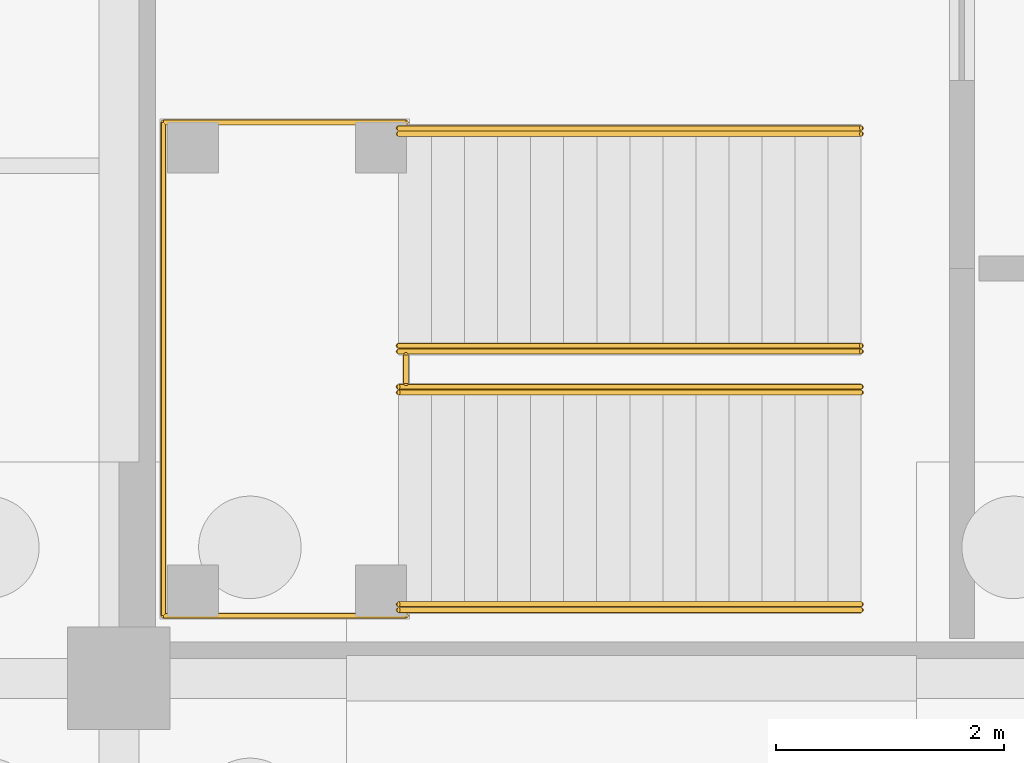
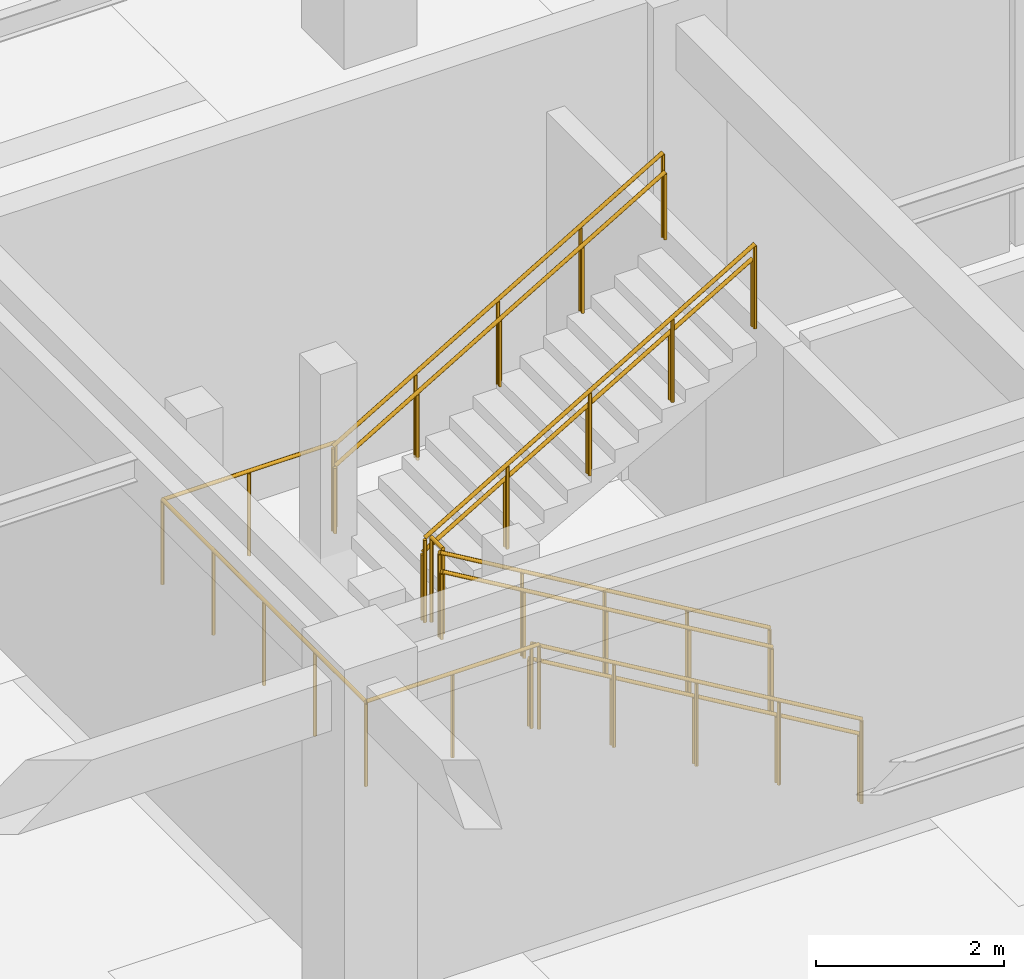
# One storey, part 29 of 33: 10 railings.
"""IFC4 building model written with IfcOpenShell, lengths in metres."""

from ifc_helpers import new_model, si_unit, direction, frame, origin, origin_2d, place, context, subcontext, project, spatial, circle, extrude, material, type_object, element, save


model = new_model("IFC4")

# Units and contexts
model_context = context("Model", 3, precision=1e-05, world=origin(), true_north=direction((0.0, 1.0)))
body_context = subcontext(model_context, "Body", "Model", "MODEL_VIEW")
ifc_project = project(units=[si_unit("LENGTHUNIT", "METRE"), si_unit("AREAUNIT", "SQUARE_METRE"), si_unit("VOLUMEUNIT", "CUBIC_METRE"), si_unit("PLANEANGLEUNIT", "RADIAN"), si_unit("MASSUNIT", "GRAM", prefix="KILO")], contexts=[model_context])

# Site, building, storey
site_placement = place(None, origin())
site = spatial("IfcSite", under=ifc_project, at=site_placement, CompositionType="ELEMENT")
building_placement = place(site_placement, origin())
building = spatial("IfcBuilding", under=site, at=building_placement, Name="Suirenkawa Promenade Aquatics Centre", CompositionType="ELEMENT")
storey_placement = place(building_placement, frame((0.0, 0.0, -4.800048828125)))
storey = spatial("IfcBuildingStorey", under=building, at=storey_placement, Name="B1", CompositionType="ELEMENT", Elevation=-4.800048828125)

# Railings
ifc_material = material(Name="Marine-grade stainless steel Grade 316L", Category="steel")
railing_type_1 = type_object("IfcRailingType", Name="RLT-GUARD-1120", PredefinedType="GUARDRAIL", material=ifc_material)
for number, where, name in (
    (1, (15.514892578125, 15.760009765625, 0.0), "Guardrail GRD-01 RL-0001"),
    (2, (15.514892578125, 13.800048828125, 0.0), "Guardrail GRD-01 RL-0003"),
):
    element("IfcRailing", number, at=place(storey_placement, frame(where)), inside=storey, type_object=railing_type_1, Name=name, PredefinedType="GUARDRAIL", context=body_context, shape_type="SweptSolid", body=[
        extrude(circle(Radius=0.02392578125, at=origin_2d()), frame((0.0, 0.0, 1.09619140625), z_axis=(-0.860818299379, 0.0, 0.50891242415), x_axis=(0.0, -1.0, 0.0)), (0.0, 0.0, 1.0), 4.71630859375),
        extrude(circle(Radius=0.02099609375, at=origin_2d()), origin(), (0.0, 0.0, 1.0), 1.072021484375),
        extrude(circle(Radius=0.02099609375, at=origin_2d()), frame((-1.014892578125, 0.0, 0.60009765625)), (0.0, 0.0, 1.0), 1.072021484375),
        extrude(circle(Radius=0.02099609375, at=origin_2d()), frame((-2.02978515625, 0.0, 1.2001953125)), (0.0, 0.0, 1.0), 1.072021484375),
        extrude(circle(Radius=0.02099609375, at=origin_2d()), frame((-3.044921875, 0.0, 1.800048828125)), (0.0, 0.0, 1.0), 1.072021484375),
        extrude(circle(Radius=0.02099609375, at=origin_2d()), frame((-4.059814453125, 0.0, 2.400146484375)), (0.0, 0.0, 1.0), 1.072021484375),
    ])
for number, where, name in (
    (3, (11.455078125, 16.070068359375, 2.400146484375), "Guardrail GRD-01 RL-0005"),
    (4, (11.455078125, 18.030029296875, 2.400146484375), "Guardrail GRD-01 RL-0007"),
):
    element("IfcRailing", number, at=place(storey_placement, frame(where)), inside=storey, type_object=railing_type_1, Name=name, PredefinedType="GUARDRAIL", context=body_context, shape_type="SweptSolid", body=[
        extrude(circle(Radius=0.02392578125, at=origin_2d()), frame((0.0, 0.0, 1.09619140625), z_axis=(0.860840976868, 0.0, 0.508874063541), x_axis=(0.0, 1.0, 0.0)), (0.0, 0.0, 1.0), 4.716064453125),
        extrude(circle(Radius=0.02099609375, at=origin_2d()), origin(), (0.0, 0.0, 1.0), 1.072021484375),
        extrude(circle(Radius=0.02099609375, at=origin_2d()), frame((1.014892578125, 0.0, 0.60009765625)), (0.0, 0.0, 1.0), 1.072021484375),
        extrude(circle(Radius=0.02099609375, at=origin_2d()), frame((2.02978515625, 0.0, 1.199951171875)), (0.0, 0.0, 1.0), 1.072021484375),
        extrude(circle(Radius=0.02099609375, at=origin_2d()), frame((3.044921875, 0.0, 1.7998046875)), (0.0, 0.0, 1.0), 1.072021484375),
        extrude(circle(Radius=0.02099609375, at=origin_2d()), frame((4.059814453125, 0.0, 2.39990234375)), (0.0, 0.0, 1.0), 1.072021484375),
    ])
railing_1_placement = place(storey_placement, frame((11.52001953125, 13.75, 2.400146484375)))
element("IfcRailing", 5, at=railing_1_placement, inside=storey, type_object=railing_type_1, Name="Guardrail GRD-01 RL-0009", PredefinedType="GUARDRAIL", context=body_context, shape_type="SweptSolid", body=[
    extrude(circle(Radius=0.02392578125, at=origin_2d()), frame((0.0, 0.0, 1.09619140625), z_axis=(-1.0, 0.0, 0.0), x_axis=(0.0, -1.0, 0.0)), (0.0, 0.0, 1.0), 2.130126953125),
    extrude(circle(Radius=0.02392578125, at=origin_2d()), frame((-2.130126953125, 0.0, 1.09619140625), z_axis=(0.0, 1.0, 0.0), x_axis=(-1.0, 0.0, 0.0)), (0.0, 0.0, 1.0), 4.330078125),
    extrude(circle(Radius=0.02392578125, at=origin_2d()), frame((-2.130126953125, 4.330078125, 1.09619140625), z_axis=(1.0, 0.0, 0.0), x_axis=(0.0, 1.0, 0.0)), (0.0, 0.0, 1.0), 2.130126953125),
    extrude(circle(Radius=0.02099609375, at=origin_2d()), origin(), (0.0, 0.0, 1.0), 1.072021484375),
    extrude(circle(Radius=0.02099609375, at=origin_2d()), frame((-1.06494140625, 0.0, 0.0)), (0.0, 0.0, 1.0), 1.072021484375),
    extrude(circle(Radius=0.02099609375, at=origin_2d()), frame((-2.130126953125, 0.0, 0.0)), (0.0, 0.0, 1.0), 1.072021484375),
    extrude(circle(Radius=0.02099609375, at=origin_2d()), frame((-2.130126953125, 1.08251953125, 0.0)), (0.0, 0.0, 1.0), 1.072021484375),
    extrude(circle(Radius=0.02099609375, at=origin_2d()), frame((-2.130126953125, 2.1650390625, 0.0)), (0.0, 0.0, 1.0), 1.072021484375),
    extrude(circle(Radius=0.02099609375, at=origin_2d()), frame((-2.130126953125, 3.24755859375, 0.0)), (0.0, 0.0, 1.0), 1.072021484375),
    extrude(circle(Radius=0.02099609375, at=origin_2d()), frame((-2.130126953125, 4.330078125, 0.0)), (0.0, 0.0, 1.0), 1.072021484375),
    extrude(circle(Radius=0.02099609375, at=origin_2d()), frame((-1.06494140625, 4.330078125, 0.0)), (0.0, 0.0, 1.0), 1.072021484375),
    extrude(circle(Radius=0.02099609375, at=origin_2d()), frame((0.0, 4.330078125, 0.0)), (0.0, 0.0, 1.0), 1.072021484375),
])
railing_2_placement = place(storey_placement, frame((11.52001953125, 15.7900390625, 2.400146484375)))
element("IfcRailing", 6, at=railing_2_placement, inside=storey, type_object=railing_type_1, Name="Guardrail GRD-01 RL-0010", PredefinedType="GUARDRAIL", context=body_context, shape_type="SweptSolid", body=[
    extrude(circle(Radius=0.02392578125, at=origin_2d()), frame((0.0, 0.0, 1.09619140625), z_axis=(0.0, 1.0, 0.0), x_axis=(-1.0, 0.0, 0.0)), (0.0, 0.0, 1.0), 0.25),
    extrude(circle(Radius=0.02099609375, at=origin_2d()), origin(), (0.0, 0.0, 1.0), 1.072021484375),
    extrude(circle(Radius=0.02099609375, at=origin_2d()), frame((0.0, 0.25, 0.0)), (0.0, 0.0, 1.0), 1.072021484375),
])
railing_type_2 = type_object("IfcRailingType", Name="RLT-HANDRAIL-900", PredefinedType="HANDRAIL", material=ifc_material)
for number, where, name in (
    (7, (15.514892578125, 15.7099609375, 0.0), "Handrail HRL-01 RL-0002"),
    (8, (15.514892578125, 13.85009765625, 0.0), "Handrail HRL-01 RL-0004"),
):
    element("IfcRailing", number, at=place(storey_placement, frame(where)), inside=storey, type_object=railing_type_2, Name=name, PredefinedType="HANDRAIL", context=body_context, shape_type="SweptSolid", body=[
        extrude(circle(Radius=0.02392578125, at=origin_2d()), frame((0.0, 0.0, 0.8759765625), z_axis=(-0.860818299379, 0.0, 0.50891242415), x_axis=(0.0, -1.0, 0.0)), (0.0, 0.0, 1.0), 4.71630859375),
        extrude(circle(Radius=0.02099609375, at=origin_2d()), origin(), (0.0, 0.0, 1.0), 0.851806640625),
        extrude(circle(Radius=0.02099609375, at=origin_2d()), frame((-1.014892578125, 0.0, 0.60009765625)), (0.0, 0.0, 1.0), 0.851806640625),
        extrude(circle(Radius=0.02099609375, at=origin_2d()), frame((-2.02978515625, 0.0, 1.2001953125)), (0.0, 0.0, 1.0), 0.851806640625),
        extrude(circle(Radius=0.02099609375, at=origin_2d()), frame((-3.044921875, 0.0, 1.800048828125)), (0.0, 0.0, 1.0), 0.851806640625),
        extrude(circle(Radius=0.02099609375, at=origin_2d()), frame((-4.059814453125, 0.0, 2.400146484375)), (0.0, 0.0, 1.0), 0.851806640625),
    ])
for number, where, name in (
    (9, (11.455078125, 16.1201171875, 2.400146484375), "Handrail HRL-01 RL-0006"),
    (10, (11.455078125, 17.97998046875, 2.400146484375), "Handrail HRL-01 RL-0008"),
):
    element("IfcRailing", number, at=place(storey_placement, frame(where)), inside=storey, type_object=railing_type_2, Name=name, PredefinedType="HANDRAIL", context=body_context, shape_type="SweptSolid", body=[
        extrude(circle(Radius=0.02392578125, at=origin_2d()), frame((0.0, 0.0, 0.8759765625), z_axis=(0.860840976868, 0.0, 0.508874063541), x_axis=(0.0, 1.0, 0.0)), (0.0, 0.0, 1.0), 4.716064453125),
        extrude(circle(Radius=0.02099609375, at=origin_2d()), origin(), (0.0, 0.0, 1.0), 0.851806640625),
        extrude(circle(Radius=0.02099609375, at=origin_2d()), frame((1.014892578125, 0.0, 0.60009765625)), (0.0, 0.0, 1.0), 0.851806640625),
        extrude(circle(Radius=0.02099609375, at=origin_2d()), frame((2.02978515625, 0.0, 1.199951171875)), (0.0, 0.0, 1.0), 0.851806640625),
        extrude(circle(Radius=0.02099609375, at=origin_2d()), frame((3.044921875, 0.0, 1.7998046875)), (0.0, 0.0, 1.0), 0.851806640625),
        extrude(circle(Radius=0.02099609375, at=origin_2d()), frame((4.059814453125, 0.0, 2.39990234375)), (0.0, 0.0, 1.0), 0.851806640625),
    ])

save(model, "model.ifc")
